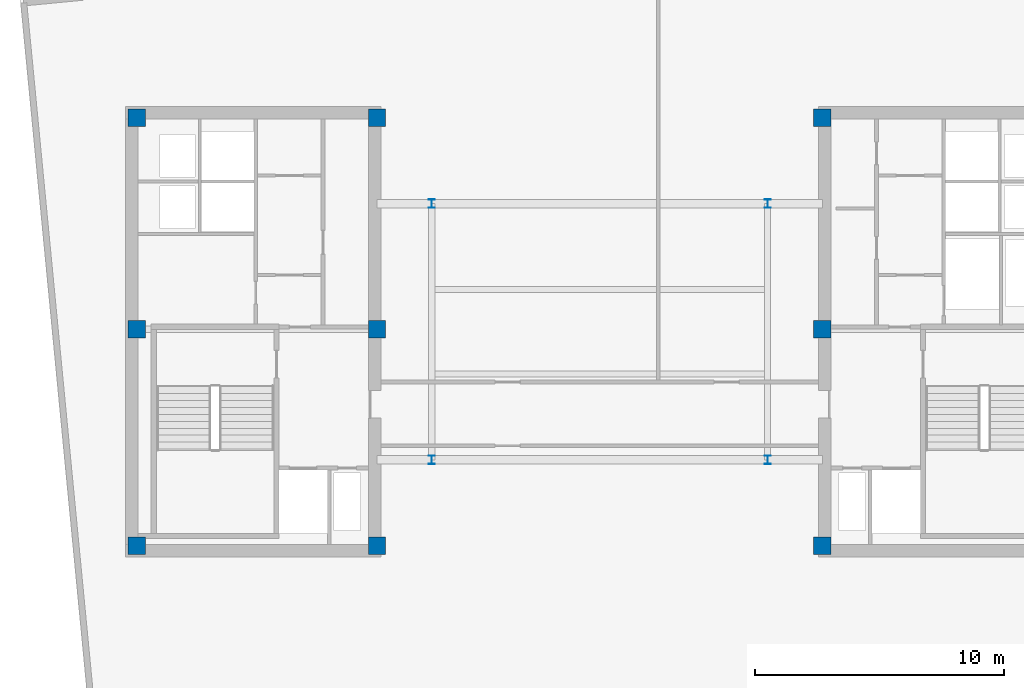
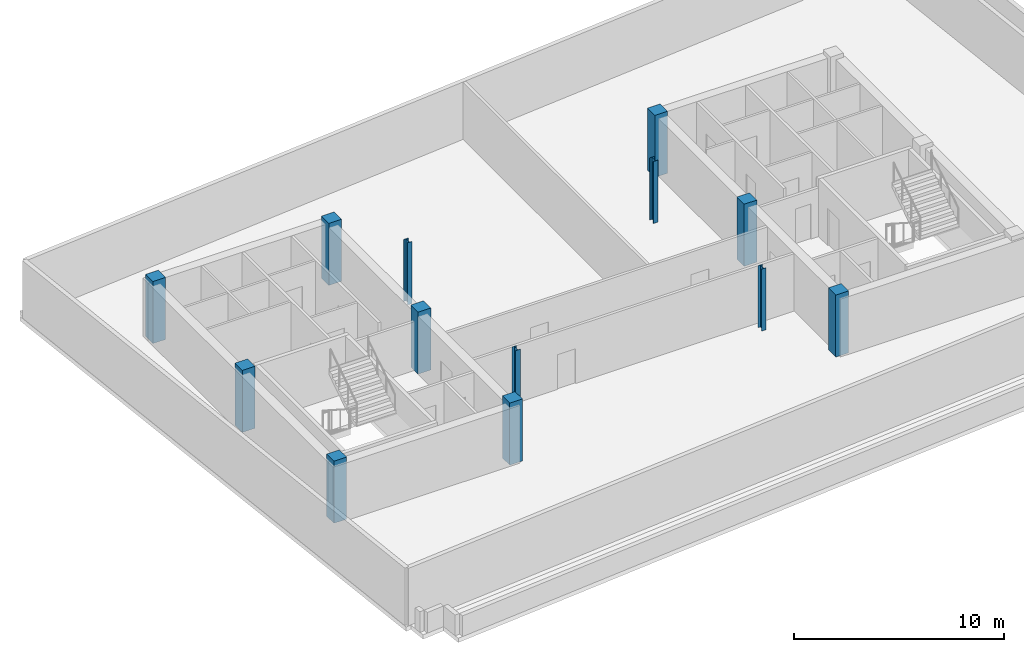
# One storey, part 1 of 8: 13 columns.
"""IFC4 building model written with IfcOpenShell, lengths in metres."""

import ifcopenshell
import ifcopenshell.guid

model = None  # the IFC model being written
_history = None  # IfcOwnerHistory: only IFC2X3 demands one
_inside = {}  # id of a spatial element -> (the spatial element, [elements in it])
_under = {}  # id of a project, library or spatial element -> (it, [spatial elements below it])
_declared = {}  # id of a project -> (the project, [libraries it declares])
_typed = {}  # id of a type object -> (the type object, [elements of that type])
_made_of = {}  # id of a material, layer set ... -> (it, [elements and type objects made of it])


def new_model(schema):
    """Start an empty IFC model of exactly this schema.

    Asked for "IFC4X3", IfcOpenShell would pick the latest addendum, in which some entities
    have other attributes; the version numbers below select the first issue.
    IFC2X3 requires an IfcOwnerHistory on every rooted entity: one is made here for all.
    """
    global model, _history
    if schema == "IFC4X3":
        model = ifcopenshell.file(schema_version=(4, 3, 0, 0))
    else:
        model = ifcopenshell.file(schema=schema)
    _inside.clear()
    _under.clear()
    _declared.clear()
    _typed.clear()
    _made_of.clear()
    _history = None
    if model.schema == "IFC2X3":
        org = make("IfcOrganization", Name="unknown")
        user = make(
            "IfcPersonAndOrganization",
            ThePerson=make("IfcPerson", FamilyName="unknown"),
            TheOrganization=org,
        )
        app = make(
            "IfcApplication",
            ApplicationDeveloper=org,
            Version="unknown",
            ApplicationFullName="unknown",
            ApplicationIdentifier="unknown",
        )
        _history = make(
            "IfcOwnerHistory",
            OwningUser=user,
            OwningApplication=app,
            ChangeAction="ADDED",
            CreationDate=0,
        )
    return model


def make(cls, **values):
    """One entity of the class cls with the attributes given. An attribute that is None is left unset."""
    return model.create_entity(
        cls, **{name: value for name, value in values.items() if value is not None}
    )


def rooted(cls, **values):
    """An entity with a GlobalId (a new one), such as an element, a storey or a relation."""
    return make(cls, GlobalId=ifcopenshell.guid.new(), OwnerHistory=_history, **values)


def si_unit(unit_type, name, prefix=None):
    """IfcSIUnit, for example si_unit("LENGTHUNIT", "METRE", prefix="MILLI")."""
    return make("IfcSIUnit", UnitType=unit_type, Prefix=prefix, Name=name)


def assignment(units):
    """IfcUnitAssignment: the units of a project."""
    return None if units is None else make("IfcUnitAssignment", Units=units)


def point(xyz):
    """IfcCartesianPoint."""
    return None if xyz is None else make("IfcCartesianPoint", Coordinates=xyz)


def direction(xyz):
    """IfcDirection."""
    return None if xyz is None else make("IfcDirection", DirectionRatios=xyz)


def frame(location, z_axis=None, x_axis=None):
    """IfcAxis2Placement3D, a coordinate frame: its origin and axes. An axis left out is left unset."""
    return make(
        "IfcAxis2Placement3D",
        Location=point(location),
        Axis=direction(z_axis),
        RefDirection=direction(x_axis),
    )


def frame_2d(location, x_axis=None):
    """IfcAxis2Placement2D, a coordinate frame in the plane: its origin and x axis."""
    return make(
        "IfcAxis2Placement2D", Location=point(location), RefDirection=direction(x_axis)
    )


def origin():
    """The frame at (0, 0, 0) with its axes left unset."""
    return frame((0.0, 0.0, 0.0))


def origin_2d():
    """The frame at (0, 0) in the plane with its x axis left unset."""
    return frame_2d((0.0, 0.0))


def place(relative_to, where):
    """IfcLocalPlacement: puts the frame where relative to a parent placement (None: the world)."""
    return make(
        "IfcLocalPlacement", PlacementRelTo=relative_to, RelativePlacement=where
    )


def context(
    kind, dimensions, precision=None, world=None, true_north=None, identifier=None
):
    """IfcGeometricRepresentationContext, for example the 3D "Model" context."""
    return make(
        "IfcGeometricRepresentationContext",
        ContextIdentifier=identifier,
        ContextType=kind,
        CoordinateSpaceDimension=dimensions,
        Precision=precision,
        WorldCoordinateSystem=world,
        TrueNorth=true_north,
    )


def subcontext(parent, identifier, kind, view, scale=None):
    """IfcGeometricRepresentationSubContext, for example "Body" below "Model"."""
    return make(
        "IfcGeometricRepresentationSubContext",
        ContextIdentifier=identifier,
        ContextType=kind,
        ParentContext=parent,
        TargetScale=scale,
        TargetView=view,
    )


def project(units=None, contexts=None):
    """IfcProject with its units and contexts."""
    return rooted(
        "IfcProject",
        Name="project",
        RepresentationContexts=contexts,
        UnitsInContext=assignment(units),
    )


def spatial(cls, under=None, at=None, **own):
    """A site, building, storey or space (cls), placed at a placement, below another one or the project."""
    s = rooted(cls, ObjectPlacement=at, **own)
    if under is not None:
        _under.setdefault(under.id(), (under, []))[1].append(s)
    return s


def profile(cls, at=None, kind="AREA", **sizes):
    """A parametric profile (cls). Its sizes go by their IFC names, for example OverallWidth=200.0."""
    return make(cls, ProfileType=kind, Position=at, **sizes)


def rectangle(**sizes):
    """IfcRectangleProfileDef."""
    return profile("IfcRectangleProfileDef", **sizes)


def i_section(**sizes):
    """IfcIShapeProfileDef."""
    return profile("IfcIShapeProfileDef", **sizes)


def extrude(swept, where, along, depth):
    """IfcExtrudedAreaSolid: the profile swept, set in the frame where, extruded along a direction by depth."""
    return make(
        "IfcExtrudedAreaSolid",
        SweptArea=swept,
        Position=where,
        ExtrudedDirection=direction(along),
        Depth=depth,
    )


def shape(context_of_items, identifier, shape_type, items):
    """IfcShapeRepresentation: the items that make up one representation, for example the "Body"."""
    return make(
        "IfcShapeRepresentation",
        ContextOfItems=context_of_items,
        RepresentationIdentifier=identifier,
        RepresentationType=shape_type,
        Items=items,
    )


def material(Name=None, Category=None):
    """IfcMaterial."""
    return make("IfcMaterial", Name=Name, Category=Category)


def material_profile(
    of_material, cross_section, Name=None, Category=None, Priority=None
):
    """IfcMaterialProfile: a cross section and its material."""
    return make(
        "IfcMaterialProfile",
        Name=Name,
        Material=of_material,
        Profile=cross_section,
        Priority=Priority,
        Category=Category,
    )


def profile_set(profiles, Name=None, composite=None):
    """IfcMaterialProfileSet."""
    return make(
        "IfcMaterialProfileSet",
        Name=Name,
        MaterialProfiles=profiles,
        CompositeProfile=composite,
    )


def made_of(thing, what):
    """Note that an element or type object is made of a material, layer set ...; save() writes the relation."""
    if what is not None:
        _made_of.setdefault(what.id(), (what, []))[1].append(thing)
    return thing


def type_object(cls, material=None, **own):
    """A type object (cls), such as IfcWallType, which elements share."""
    return made_of(rooted(cls, **own), material)


def element(
    cls,
    number,
    at=None,
    inside=None,
    cuts=None,
    type_object=None,
    material=None,
    context=None,
    identifier="Body",
    shape_type=None,
    held_by="IfcProductDefinitionShape",
    body=None,
    shapes=None,
    **own,
):
    """One element of the class cls, such as IfcWall. Its Tag is "e" and its number.

    at: its placement. inside: the storey or other place that contains it. cuts: it is an
    opening in that element (IfcRelVoidsElement). A single representation is given by context,
    identifier, shape_type and body (its items); several are given by shapes. held_by: the class
    of the entity that holds the representations. save() writes the other relations.
    """
    e = rooted(cls, Tag="e%d" % number, ObjectPlacement=at, **own)
    if body is not None:
        shapes = [shape(context, identifier, shape_type, body)]
    if shapes is not None:
        e.Representation = make(held_by, Representations=shapes)
    if inside is not None:
        _inside.setdefault(inside.id(), (inside, []))[1].append(e)
    if cuts is not None:
        rooted(
            "IfcRelVoidsElement", RelatingBuildingElement=cuts, RelatedOpeningElement=e
        )
    if type_object is not None:
        _typed.setdefault(type_object.id(), (type_object, []))[1].append(e)
    return made_of(e, material)


def aggregate(whole, parts):
    """IfcRelAggregates: a whole, such as a stair, and the parts it consists of."""
    return rooted("IfcRelAggregates", RelatingObject=whole, RelatedObjects=parts)


def save(model, path):
    """Write the relations noted so far, then the file.

    IfcRelAggregates (storeys below a building ...), IfcRelContainedInSpatialStructure (elements
    in a storey), IfcRelDefinesByType, IfcRelAssociatesMaterial and IfcRelDeclares: one each for
    every whole, place, type object, material and project.
    """
    for whole, parts in _under.values():
        aggregate(whole, parts)
    for where, things in _inside.values():
        rooted(
            "IfcRelContainedInSpatialStructure",
            RelatedElements=things,
            RelatingStructure=where,
        )
    for kind, things in _typed.values():
        rooted("IfcRelDefinesByType", RelatedObjects=things, RelatingType=kind)
    for what, things in _made_of.values():
        rooted("IfcRelAssociatesMaterial", RelatedObjects=things, RelatingMaterial=what)
    for by, libraries in _declared.values():
        rooted("IfcRelDeclares", RelatingContext=by, RelatedDefinitions=libraries)
    model.write(path)


model = new_model("IFC4")

# Units and contexts
model_context = context("Model", 3, precision=1e-05, world=origin(), true_north=direction((0.0, 1.0)))
body_context = subcontext(model_context, "Body", "Model", "MODEL_VIEW")
ifc_project = project(units=[si_unit("LENGTHUNIT", "METRE"), si_unit("AREAUNIT", "SQUARE_METRE"), si_unit("VOLUMEUNIT", "CUBIC_METRE"), si_unit("PLANEANGLEUNIT", "RADIAN"), si_unit("MASSUNIT", "GRAM", prefix="KILO")], contexts=[model_context])

# Site, building, storey
site_placement = place(None, origin())
site = spatial("IfcSite", under=ifc_project, at=site_placement, CompositionType="ELEMENT")
building_placement = place(site_placement, origin())
building = spatial("IfcBuilding", under=site, at=building_placement, Name="Velakula Bourse", CompositionType="ELEMENT")
storey_placement = place(building_placement, frame((0.0, 0.0, 286.949951171875)))
storey = spatial("IfcBuildingStorey", under=building, at=storey_placement, Name="L78", CompositionType="ELEMENT", Elevation=286.949951171875)

# Columns
ifc_material_1 = material(Name="Steel IS 2062 Grade 350 (E350)", Category="steel")
ifc_material_profile_1 = material_profile(ifc_material_1, i_section(OverallWidth=0.25, OverallDepth=0.35009765625, WebThickness=0.010009765625, FlangeThickness=0.01171875, at=origin_2d()), Name="Steel IS 2062 Grade 350 (E350)")
ifc_profile_set_1 = profile_set([ifc_material_profile_1], Name="Steel IS 2062 Grade 350 (E350)")
column_type_1 = type_object("IfcColumnType", Name="COL-CRN-350", PredefinedType="COLUMN", material=ifc_profile_set_1)
for number, where, z_axis, x_axis, name in (
    (1, (-6.75, -5.14990234375, 0.0), (0.0, 0.0, 1.0), (1.0, 0.0, 0.0), "L78 Central Spine Column 01"),
    (2, (-6.75, 5.14990234375, 0.0), (0.0, 0.0, 1.0), (1.0, 0.0, 0.0), "L78 Central Spine Column 02"),
    (3, (6.75, -5.14990234375, 0.0), (0.0, 0.0, 1.0), (1.0, 0.0, 0.0), "L78 Central Spine Column 03"),
    (4, (6.75, 5.14990234375, 0.0), (0.0, 0.0, 1.0), (1.0, 0.0, 0.0), "L78 Central Spine Column 04"),
):
    element("IfcColumn", number, at=place(storey_placement, frame(where, z_axis=z_axis, x_axis=x_axis)), inside=storey, type_object=column_type_1, Name=name, PredefinedType="COLUMN", context=body_context, shape_type="SweptSolid", body=[
        extrude(i_section(OverallWidth=0.25, OverallDepth=0.35009765625, WebThickness=0.010009765625, FlangeThickness=0.01171875, at=origin_2d()), origin(), (0.0, 0.0, 1.0), 3.60009765625),
    ])
ifc_material_2 = material(Name="Concrete M50 (fck 50 MPa)", Category="concrete")
ifc_material_profile_2 = material_profile(ifc_material_2, rectangle(XDim=0.699951171875, YDim=0.699951171875, at=origin_2d()), Name="Concrete M50 (fck 50 MPa)")
ifc_profile_set_2 = profile_set([ifc_material_profile_2], Name="Concrete M50 (fck 50 MPa)")
column_type_2 = type_object("IfcColumnType", Name="COL-RC-700", PredefinedType="COLUMN", material=ifc_profile_set_2)
for number, where, z_axis, x_axis, name in (
    (5, (-8.949951171875, -8.60009765625, 0.0), (0.0, 0.0, 1.0), (1.0, 0.0, 0.0), "L78 Core Boundary Column 01"),
    (6, (-8.949951171875, 0.10009765625, 0.0), (0.0, 0.0, 1.0), (1.0, 0.0, 0.0), "L78 Core Boundary Column 02"),
    (7, (-8.949951171875, 8.60009765625, 0.0), (0.0, 0.0, 1.0), (1.0, 0.0, 0.0), "L78 Core Boundary Column 03"),
    (8, (-18.60009765625, -8.60009765625, 0.0), (0.0, 0.0, 1.0), (1.0, 0.0, 0.0), "L78 Core Boundary Column 04"),
    (9, (-18.60009765625, 0.10009765625, 0.0), (0.0, 0.0, 1.0), (1.0, 0.0, 0.0), "L78 Core Boundary Column 05"),
    (10, (-18.60009765625, 8.60009765625, 0.0), (0.0, 0.0, 1.0), (1.0, 0.0, 0.0), "L78 Core Boundary Column 06"),
    (11, (8.949951171875, -8.60009765625, 0.0), (0.0, 0.0, 1.0), (1.0, 0.0, 0.0), "L78 Core Boundary Column 07"),
    (12, (8.949951171875, 0.10009765625, 0.0), (0.0, 0.0, 1.0), (1.0, 0.0, 0.0), "L78 Core Boundary Column 08"),
    (13, (8.949951171875, 8.60009765625, 0.0), (0.0, 0.0, 1.0), (1.0, 0.0, 0.0), "L78 Core Boundary Column 09"),
):
    element("IfcColumn", number, at=place(storey_placement, frame(where, z_axis=z_axis, x_axis=x_axis)), inside=storey, type_object=column_type_2, Name=name, PredefinedType="COLUMN", context=body_context, shape_type="SweptSolid", body=[
        extrude(rectangle(XDim=0.699951171875, YDim=0.699951171875, at=origin_2d()), origin(), (0.0, 0.0, 1.0), 3.60009765625),
    ])

save(model, "model.ifc")
